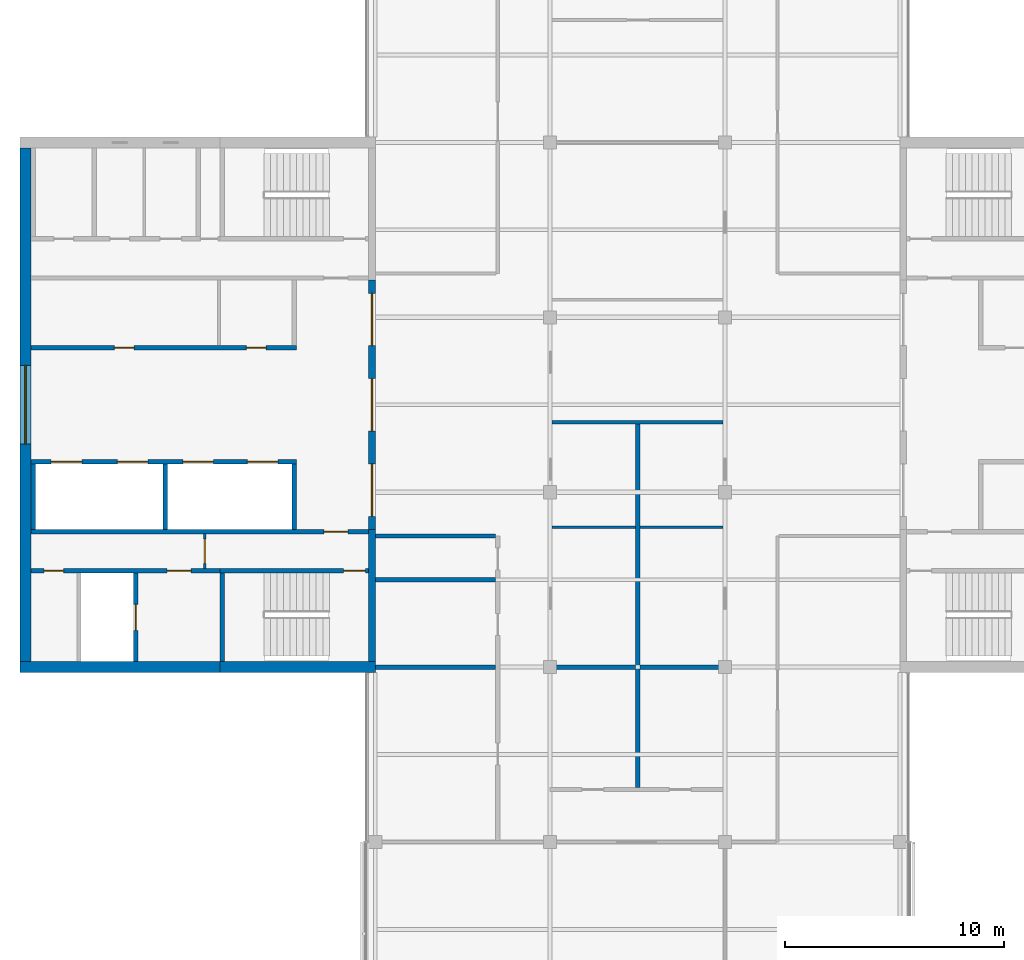
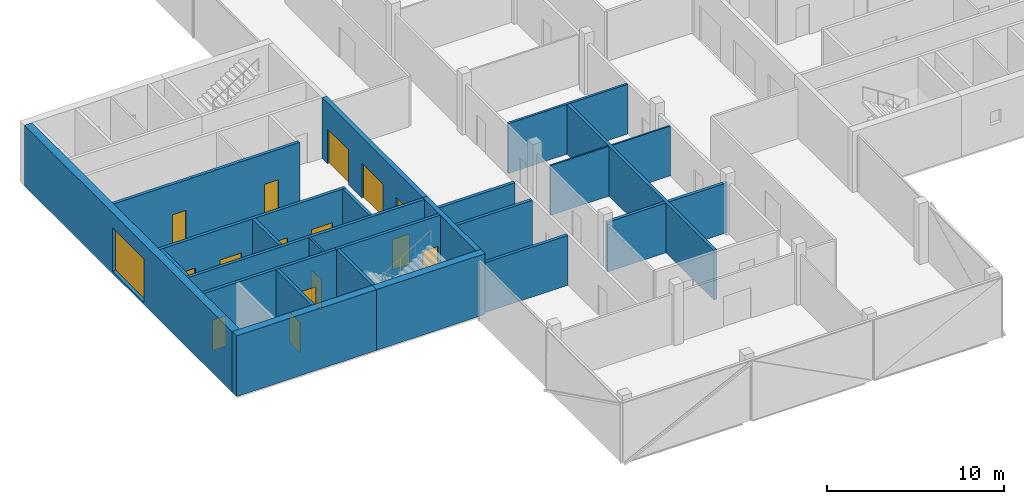
# One storey, part 9 of 15: 25 walls, 15 doors, 1 window, 16 openings.
"""IFC4 building model written with IfcOpenShell, lengths in metres."""

from ifc_helpers import new_model, si_unit, direction, frame, frame_2d, origin, place, context, subcontext, project, spatial, rectangle, extrude, material, layer, layer_set, constituent, constituent_set, type_object, element, fill, save


model = new_model("IFC4")

# Units and contexts
model_context = context("Model", 3, precision=1e-05, world=origin(), true_north=direction((0.0, 1.0)))
body_context = subcontext(model_context, "Body", "Model", "MODEL_VIEW")
ifc_project = project(units=[si_unit("LENGTHUNIT", "METRE"), si_unit("AREAUNIT", "SQUARE_METRE"), si_unit("VOLUMEUNIT", "CUBIC_METRE"), si_unit("PLANEANGLEUNIT", "RADIAN"), si_unit("MASSUNIT", "GRAM", prefix="KILO")], contexts=[model_context])

# Site, building, storey
site_placement = place(None, origin())
site = spatial("IfcSite", under=ifc_project, at=site_placement, CompositionType="ELEMENT")
building_placement = place(site_placement, origin())
building = spatial("IfcBuilding", under=site, at=building_placement, Name="Crosswind Convention Tower", CompositionType="ELEMENT")
storey_placement = place(building_placement, frame((0.0, 0.0, 315.5)))
storey = spatial("IfcBuildingStorey", under=building, at=storey_placement, Name="L68", CompositionType="ELEMENT", Elevation=315.5)

# Walls
ifc_material_1 = material(Name="Concrete blockwork", Category="masonry")
ifc_layer_1 = layer(ifc_material_1, 0.199951171875)
ifc_layer_set_1 = layer_set([ifc_layer_1], Name="COMPARTMENT WALL 200 BLOCKWORK")
wall_type_1 = type_object("IfcWallType", Name="COMPARTMENT WALL 200 BLOCKWORK", PredefinedType="SOLIDWALL", material=ifc_layer_set_1)
wall_1_placement = place(storey_placement, frame((125.0, 82.5, 0.0), z_axis=(0.0, 0.0, 1.0), x_axis=(0.0, 1.0, 0.0)))
element("IfcWall", 1, at=wall_1_placement, inside=storey, type_object=wall_type_1, Name="Compartment wall WT42", PredefinedType="SOLIDWALL", context=body_context, shape_type="SweptSolid", body=[
    extrude(rectangle(XDim=16.625, YDim=0.199951171875, at=frame_2d((8.3125, 0.0))), origin(), (0.0, 0.0, 1.0), 3.44287109375),
])
for number, where, z_axis, x_axis, name in (
    (2, (113.0, 88.0, 0.0), (0.0, 0.0, 1.0), (1.0, 0.0, 0.0), "Compartment wall WT42"),
    (3, (113.0, 92.0, 0.0), (0.0, 0.0, 1.0), (1.0, 0.0, 0.0), "Compartment wall WT42"),
    (4, (113.0, 94.0, 0.0), (0.0, 0.0, 1.0), (1.0, 0.0, 0.0), "Compartment wall WT42"),
):
    element("IfcWall", number, at=place(storey_placement, frame(where, z_axis=z_axis, x_axis=x_axis)), inside=storey, type_object=wall_type_1, Name=name, PredefinedType="SOLIDWALL", context=body_context, shape_type="SweptSolid", body=[
        extrude(rectangle(XDim=5.5, YDim=0.199951171875, at=frame_2d((2.75, 0.0))), origin(), (0.0, 0.0, 1.0), 3.44287109375),
    ])
wall_2_placement = place(storey_placement, frame((121.074951171875, 88.0, 0.0), z_axis=(0.0, 0.0, 1.0), x_axis=(1.0, 0.0, 0.0)))
element("IfcWall", 5, at=wall_2_placement, inside=storey, type_object=wall_type_1, Name="Compartment wall WT42", PredefinedType="SOLIDWALL", context=body_context, shape_type="SweptSolid", body=[
    extrude(rectangle(XDim=3.824951171875, YDim=0.199951171875, at=frame_2d((1.91259765625, 0.0))), origin(), (0.0, 0.0, 1.0), 3.44287109375),
])
wall_3_placement = place(storey_placement, frame((125.10009765625, 88.0, 0.0), z_axis=(0.0, 0.0, 1.0), x_axis=(1.0, 0.0, 0.0)))
element("IfcWall", 6, at=wall_3_placement, inside=storey, type_object=wall_type_1, Name="Compartment wall WT42", PredefinedType="SOLIDWALL", context=body_context, shape_type="SweptSolid", body=[
    extrude(rectangle(XDim=3.7998046875, YDim=0.199951171875, at=frame_2d((1.89990234375, 0.0))), origin(), (0.0, 0.0, 1.0), 3.44287109375),
])

# Wall, openings, doors
ifc_material_2 = material(Name="Concrete C50/60", Category="concrete")
ifc_layer_2 = layer(ifc_material_2, 0.300048828125)
ifc_layer_set_2 = layer_set([ifc_layer_2], Name="Concrete C50/60")
wall_type_2 = type_object("IfcWallType", Name="Concrete inner core wall 300", PredefinedType="SHEAR", material=ifc_layer_set_2)
wall_4_placement = place(storey_placement, frame((112.85009765625, 105.699951171875, 0.0), z_axis=(0.0, 0.0, 1.0), x_axis=(0.0, -1.0, 0.0)))
wall_4 = element("IfcWall", 7, at=wall_4_placement, inside=storey, type_object=wall_type_2, Name="Wall SCR W L68", PredefinedType="SHEAR", context=body_context, shape_type="SweptSolid", body=[
    extrude(rectangle(XDim=11.39990234375, YDim=0.300048828125, at=frame_2d((5.699951171875, 0.0))), origin(), (0.0, 0.0, 1.0), 4.199951171875),
])
opening_1_placement = place(wall_4_placement, frame((0.60009765625, 0.0, 0.0)))
opening_1 = element("IfcOpeningElement", 8, at=opening_1_placement, cuts=wall_4, Name="Opening D100", PredefinedType="OPENING", context=body_context, shape_type="SweptSolid", body=[
    extrude(rectangle(XDim=2.39990234375, YDim=2.39990234375, at=frame_2d((1.199951171875, 1.199951171875))), frame((0.0, 0.159912109375, 0.0), z_axis=(0.0, -1.0, 0.0), x_axis=(1.0, 0.0, 0.0)), (0.0, 0.0, 1.0), 0.320068359375),
])
opening_2_placement = place(wall_4_placement, frame((4.5, 0.0, 0.0)))
opening_2 = element("IfcOpeningElement", 9, at=opening_2_placement, cuts=wall_4, Name="Opening D100", PredefinedType="OPENING", context=body_context, shape_type="SweptSolid", body=[
    extrude(rectangle(XDim=2.39990234375, YDim=2.39990234375, at=frame_2d((1.199951171875, 1.199951171875))), frame((0.0, 0.159912109375, 0.0), z_axis=(0.0, -1.0, 0.0), x_axis=(1.0, 0.0, 0.0)), (0.0, 0.0, 1.0), 0.320068359375),
])
opening_3_placement = place(wall_4_placement, frame((8.39990234375, 0.0, 0.0)))
opening_3 = element("IfcOpeningElement", 10, at=opening_3_placement, cuts=wall_4, Name="Opening D100", PredefinedType="OPENING", context=body_context, shape_type="SweptSolid", body=[
    extrude(rectangle(XDim=2.39990234375, YDim=2.39990234375, at=frame_2d((1.199951171875, 1.199951171875))), frame((0.0, 0.159912109375, 0.0), z_axis=(0.0, -1.0, 0.0), x_axis=(1.0, 0.0, 0.0)), (0.0, 0.0, 1.0), 0.320068359375),
])
ifc_material_3 = material(Name="Steel fire door with glazed vision panels", Category="steel")
door_type_1 = type_object("IfcDoorType", Name="Fire-rated double door 2400x2400", OperationType="DOUBLE_DOOR_SINGLE_SWING", PredefinedType="DOOR", material=ifc_material_3)
door_1_placement = place(opening_1_placement, origin())
door_1 = element("IfcDoor", 11, at=door_1_placement, inside=storey, type_object=door_type_1, Name="Lobby door 1 L68", ObjectType="D100", OperationType="DOUBLE_DOOR_SINGLE_SWING", OverallHeight=2.39990234375, OverallWidth=2.39990234375, PredefinedType="DOOR", context=body_context, shape_type="SweptSolid", body=[
    extrude(rectangle(XDim=2.39990234375, YDim=2.39990234375, at=frame_2d((1.199951171875, 1.199951171875))), frame((0.0, 0.02490234375, 0.0), z_axis=(0.0, -1.0, 0.0), x_axis=(1.0, 0.0, 0.0)), (0.0, 0.0, 1.0), 0.050048828125),
])
fill(opening_1, door_1)
door_2_placement = place(opening_2_placement, origin())
door_2 = element("IfcDoor", 12, at=door_2_placement, inside=storey, type_object=door_type_1, Name="Lobby door 2 L68", ObjectType="D100", OperationType="DOUBLE_DOOR_SINGLE_SWING", OverallHeight=2.39990234375, OverallWidth=2.39990234375, PredefinedType="DOOR", context=body_context, shape_type="SweptSolid", body=[
    extrude(rectangle(XDim=2.39990234375, YDim=2.39990234375, at=frame_2d((1.199951171875, 1.199951171875))), frame((0.0, 0.02490234375, 0.0), z_axis=(0.0, -1.0, 0.0), x_axis=(1.0, 0.0, 0.0)), (0.0, 0.0, 1.0), 0.050048828125),
])
fill(opening_2, door_2)
door_3_placement = place(opening_3_placement, origin())
door_3 = element("IfcDoor", 13, at=door_3_placement, inside=storey, type_object=door_type_1, Name="Lobby door 3 L68", ObjectType="D100", OperationType="DOUBLE_DOOR_SINGLE_SWING", OverallHeight=2.39990234375, OverallWidth=2.39990234375, PredefinedType="DOOR", context=body_context, shape_type="SweptSolid", body=[
    extrude(rectangle(XDim=2.39990234375, YDim=2.39990234375, at=frame_2d((1.199951171875, 1.199951171875))), frame((0.0, 0.02490234375, 0.0), z_axis=(0.0, -1.0, 0.0), x_axis=(1.0, 0.0, 0.0)), (0.0, 0.0, 1.0), 0.050048828125),
])
fill(opening_3, door_3)

# Walls
wall_5_placement = place(storey_placement, frame((112.85009765625, 94.300048828125, 0.0), z_axis=(0.0, 0.0, 1.0), x_axis=(0.0, -1.0, 0.0)))
element("IfcWall", 14, at=wall_5_placement, inside=storey, type_object=wall_type_2, Name="Wall EP W L68", PredefinedType="SHEAR", context=body_context, shape_type="SweptSolid", body=[
    extrude(rectangle(XDim=6.050048828125, YDim=0.300048828125, at=frame_2d((3.02490234375, 0.0))), origin(), (0.0, 0.0, 1.0), 4.199951171875),
])
ifc_layer_3 = layer(ifc_material_2, 0.199951171875)
ifc_layer_set_3 = layer_set([ifc_layer_3], Name="Concrete C50/60")
wall_type_3 = type_object("IfcWallType", Name="Concrete shaft and stair wall 200", PredefinedType="SHEAR", material=ifc_layer_set_3)
for number, where, z_axis, x_axis, name in (
    (15, (109.300048828125, 97.300048828125, 0.0), (0.0, 0.0, 1.0), (0.0, -1.0, 0.0), "Wall RPEND W L68"),
    (16, (103.39990234375, 97.300048828125, 0.0), (0.0, 0.0, 1.0), (0.0, -1.0, 0.0), "Wall RPSEP W L68"),
    (17, (97.35009765625, 97.300048828125, 0.0), (0.0, 0.0, 1.0), (0.0, -1.0, 0.0), "Wall RPEAST W L68"),
):
    element("IfcWall", number, at=place(storey_placement, frame(where, z_axis=z_axis, x_axis=x_axis)), inside=storey, type_object=wall_type_3, Name=name, PredefinedType="SHEAR", context=body_context, shape_type="SweptSolid", body=[
        extrude(rectangle(XDim=3.0, YDim=0.199951171875, at=frame_2d((1.5, 0.0))), origin(), (0.0, 0.0, 1.0), 4.199951171875),
    ])

# Wall, openings, doors
wall_6_placement = place(storey_placement, frame((109.39990234375, 97.39990234375, 0.0), z_axis=(0.0, 0.0, 1.0), x_axis=(-1.0, 0.0, 0.0)))
wall_6 = element("IfcWall", 18, at=wall_6_placement, inside=storey, type_object=wall_type_3, Name="Wall RPFRONT W L68", PredefinedType="SHEAR", context=body_context, shape_type="SweptSolid", body=[
    extrude(rectangle(XDim=12.14990234375, YDim=0.199951171875, at=frame_2d((6.074951171875, 0.0))), origin(), (0.0, 0.0, 1.0), 4.199951171875),
])
opening_4_placement = place(wall_6_placement, frame((0.85009765625, 0.0, 0.0)))
opening_4 = element("IfcOpeningElement", 19, at=opening_4_placement, cuts=wall_6, Name="Opening LD2", PredefinedType="OPENING", context=body_context, shape_type="SweptSolid", body=[
    extrude(rectangle(XDim=1.39990234375, YDim=2.10009765625, at=frame_2d((0.699951171875, 1.050048828125))), frame((0.0, 0.10986328125, 0.0), z_axis=(0.0, -1.0, 0.0), x_axis=(1.0, 0.0, 0.0)), (0.0, 0.0, 1.0), 0.219970703125),
])
opening_5_placement = place(wall_6_placement, frame((3.800048828125, 0.0, 0.0)))
opening_5 = element("IfcOpeningElement", 20, at=opening_5_placement, cuts=wall_6, Name="Opening LD2", PredefinedType="OPENING", context=body_context, shape_type="SweptSolid", body=[
    extrude(rectangle(XDim=1.39990234375, YDim=2.10009765625, at=frame_2d((0.699951171875, 1.050048828125))), frame((0.0, 0.10986328125, 0.0), z_axis=(0.0, -1.0, 0.0), x_axis=(1.0, 0.0, 0.0)), (0.0, 0.0, 1.0), 0.219970703125),
])
opening_6_placement = place(wall_6_placement, frame((6.800048828125, 0.0, 0.0)))
opening_6 = element("IfcOpeningElement", 21, at=opening_6_placement, cuts=wall_6, Name="Opening LD2", PredefinedType="OPENING", context=body_context, shape_type="SweptSolid", body=[
    extrude(rectangle(XDim=1.39990234375, YDim=2.10009765625, at=frame_2d((0.699951171875, 1.050048828125))), frame((0.0, 0.10986328125, 0.0), z_axis=(0.0, -1.0, 0.0), x_axis=(1.0, 0.0, 0.0)), (0.0, 0.0, 1.0), 0.219970703125),
])
opening_7_placement = place(wall_6_placement, frame((9.824951171875, 0.0, 0.0)))
opening_7 = element("IfcOpeningElement", 22, at=opening_7_placement, cuts=wall_6, Name="Opening LD2", PredefinedType="OPENING", context=body_context, shape_type="SweptSolid", body=[
    extrude(rectangle(XDim=1.39990234375, YDim=2.10009765625, at=frame_2d((0.699951171875, 1.050048828125))), frame((0.0, 0.10986328125, 0.0), z_axis=(0.0, -1.0, 0.0), x_axis=(1.0, 0.0, 0.0)), (0.0, 0.0, 1.0), 0.219970703125),
])
ifc_material_4 = material(Name="Stainless steel", Category="steel")
door_type_2 = type_object("IfcDoorType", Name="Lift landing door 1400x2100", OperationType="DOUBLE_DOOR_SLIDING", PredefinedType="DOOR", material=ifc_material_4)
door_4_placement = place(opening_4_placement, origin())
door_4 = element("IfcDoor", 23, at=door_4_placement, inside=storey, type_object=door_type_2, Name="Landing door HR1 L68", ObjectType="LD2", OperationType="DOUBLE_DOOR_SLIDING", OverallHeight=2.10009765625, OverallWidth=1.39990234375, PredefinedType="DOOR", context=body_context, shape_type="SweptSolid", body=[
    extrude(rectangle(XDim=1.39990234375, YDim=2.10009765625, at=frame_2d((0.699951171875, 1.050048828125))), frame((0.0, 0.02490234375, 0.0), z_axis=(0.0, -1.0, 0.0), x_axis=(1.0, 0.0, 0.0)), (0.0, 0.0, 1.0), 0.050048828125),
])
fill(opening_4, door_4)
door_5_placement = place(opening_5_placement, origin())
door_5 = element("IfcDoor", 24, at=door_5_placement, inside=storey, type_object=door_type_2, Name="Landing door HR2 L68", ObjectType="LD2", OperationType="DOUBLE_DOOR_SLIDING", OverallHeight=2.10009765625, OverallWidth=1.39990234375, PredefinedType="DOOR", context=body_context, shape_type="SweptSolid", body=[
    extrude(rectangle(XDim=1.39990234375, YDim=2.10009765625, at=frame_2d((0.699951171875, 1.050048828125))), frame((0.0, 0.02490234375, 0.0), z_axis=(0.0, -1.0, 0.0), x_axis=(1.0, 0.0, 0.0)), (0.0, 0.0, 1.0), 0.050048828125),
])
fill(opening_5, door_5)
door_6_placement = place(opening_6_placement, origin())
door_6 = element("IfcDoor", 25, at=door_6_placement, inside=storey, type_object=door_type_2, Name="Landing door HR3 L68", ObjectType="LD2", OperationType="DOUBLE_DOOR_SLIDING", OverallHeight=2.10009765625, OverallWidth=1.39990234375, PredefinedType="DOOR", context=body_context, shape_type="SweptSolid", body=[
    extrude(rectangle(XDim=1.39990234375, YDim=2.10009765625, at=frame_2d((0.699951171875, 1.050048828125))), frame((0.0, 0.02490234375, 0.0), z_axis=(0.0, -1.0, 0.0), x_axis=(1.0, 0.0, 0.0)), (0.0, 0.0, 1.0), 0.050048828125),
])
fill(opening_6, door_6)
door_7_placement = place(opening_7_placement, origin())
door_7 = element("IfcDoor", 26, at=door_7_placement, inside=storey, type_object=door_type_2, Name="Landing door HR4 L68", ObjectType="LD2", OperationType="DOUBLE_DOOR_SLIDING", OverallHeight=2.10009765625, OverallWidth=1.39990234375, PredefinedType="DOOR", context=body_context, shape_type="SweptSolid", body=[
    extrude(rectangle(XDim=1.39990234375, YDim=2.10009765625, at=frame_2d((0.699951171875, 1.050048828125))), frame((0.0, 0.02490234375, 0.0), z_axis=(0.0, -1.0, 0.0), x_axis=(1.0, 0.0, 0.0)), (0.0, 0.0, 1.0), 0.050048828125),
])
fill(opening_7, door_7)

wall_7_placement = place(storey_placement, frame((109.39990234375, 102.60009765625, 0.0), z_axis=(0.0, 0.0, 1.0), x_axis=(-1.0, 0.0, 0.0)))
wall_7 = element("IfcWall", 27, at=wall_7_placement, inside=storey, type_object=wall_type_3, Name="Wall RMFRONT W L68", PredefinedType="SHEAR", context=body_context, shape_type="SweptSolid", body=[
    extrude(rectangle(XDim=12.14990234375, YDim=0.199951171875, at=frame_2d((6.074951171875, 0.0))), origin(), (0.0, 0.0, 1.0), 4.199951171875),
])
opening_8_placement = place(wall_7_placement, frame((1.391845703125, 0.0, 0.0)))
opening_8 = element("IfcOpeningElement", 28, at=opening_8_placement, cuts=wall_7, Name="Opening D106", PredefinedType="OPENING", context=body_context, shape_type="SweptSolid", body=[
    extrude(rectangle(XDim=0.89990234375, YDim=2.10009765625, at=frame_2d((0.449951171875, 1.050048828125))), frame((0.0, 0.10986328125, 0.0), z_axis=(0.0, -1.0, 0.0), x_axis=(1.0, 0.0, 0.0)), (0.0, 0.0, 1.0), 0.219970703125),
])
opening_9_placement = place(wall_7_placement, frame((7.42919921875, 0.0, 0.0)))
opening_9 = element("IfcOpeningElement", 29, at=opening_9_placement, cuts=wall_7, Name="Opening D106", PredefinedType="OPENING", context=body_context, shape_type="SweptSolid", body=[
    extrude(rectangle(XDim=0.89990234375, YDim=2.10009765625, at=frame_2d((0.449951171875, 1.050048828125))), frame((0.0, 0.10986328125, 0.0), z_axis=(0.0, -1.0, 0.0), x_axis=(1.0, 0.0, 0.0)), (0.0, 0.0, 1.0), 0.219970703125),
])
ifc_material_5 = material(Name="Timber door", Category="wood")
door_type_3 = type_object("IfcDoorType", Name="Single leaf door 900x2100", OperationType="NOTDEFINED", PredefinedType="DOOR", material=ifc_material_5)
door_8_placement = place(opening_8_placement, frame((0.89990234375, 0.0, 0.0), z_axis=(0.0, 0.0, 1.0), x_axis=(-1.0, 0.0, 0.0)))
door_8 = element("IfcDoor", 30, at=door_8_placement, inside=storey, type_object=door_type_3, Name="Door to storeroom L68", ObjectType="D106", OperationType="SINGLE_SWING_LEFT", OverallHeight=2.10009765625, OverallWidth=0.89990234375, PredefinedType="DOOR", context=body_context, shape_type="SweptSolid", body=[
    extrude(rectangle(XDim=0.89990234375, YDim=2.10009765625, at=frame_2d((0.449951171875, 1.050048828125))), frame((0.0, 0.02490234375, 0.0), z_axis=(0.0, -1.0, 0.0), x_axis=(1.0, 0.0, 0.0)), (0.0, 0.0, 1.0), 0.050048828125),
])
fill(opening_8, door_8)
door_9_placement = place(opening_9_placement, frame((0.89990234375, 0.0, 0.0), z_axis=(0.0, 0.0, 1.0), x_axis=(-1.0, 0.0, 0.0)))
door_9 = element("IfcDoor", 31, at=door_9_placement, inside=storey, type_object=door_type_3, Name="Door to tenant services room L68", ObjectType="D106", OperationType="SINGLE_SWING_LEFT", OverallHeight=2.10009765625, OverallWidth=0.89990234375, PredefinedType="DOOR", context=body_context, shape_type="SweptSolid", body=[
    extrude(rectangle(XDim=0.89990234375, YDim=2.10009765625, at=frame_2d((0.449951171875, 1.050048828125))), frame((0.0, 0.02490234375, 0.0), z_axis=(0.0, -1.0, 0.0), x_axis=(1.0, 0.0, 0.0)), (0.0, 0.0, 1.0), 0.050048828125),
])
fill(opening_9, door_9)

# Wall, opening, door
wall_8_placement = place(storey_placement, frame((112.699951171875, 94.199951171875, 0.0), z_axis=(0.0, 0.0, 1.0), x_axis=(-1.0, 0.0, 0.0)))
wall_8 = element("IfcWall", 32, at=wall_8_placement, inside=storey, type_object=wall_type_3, Name="Wall HP W L68", PredefinedType="SHEAR", context=body_context, shape_type="SweptSolid", body=[
    extrude(rectangle(XDim=15.449951171875, YDim=0.199951171875, at=frame_2d((7.72509765625, 0.0))), origin(), (0.0, 0.0, 1.0), 4.199951171875),
])
opening_10_placement = place(wall_8_placement, frame((0.949951171875, 0.0, 0.0)))
opening_10 = element("IfcOpeningElement", 33, at=opening_10_placement, cuts=wall_8, Name="Opening D104", PredefinedType="OPENING", context=body_context, shape_type="SweptSolid", body=[
    extrude(rectangle(XDim=1.10009765625, YDim=2.10009765625, at=frame_2d((0.550048828125, 1.050048828125))), frame((0.0, 0.10986328125, 0.0), z_axis=(0.0, -1.0, 0.0), x_axis=(1.0, 0.0, 0.0)), (0.0, 0.0, 1.0), 0.219970703125),
])
ifc_material_6 = material(Name="Steel fire door", Category="steel")
door_type_4 = type_object("IfcDoorType", Name="Fire-rated single door 1100x2100", OperationType="NOTDEFINED", PredefinedType="DOOR", material=ifc_material_6)
door_10_placement = place(opening_10_placement, origin())
door_10 = element("IfcDoor", 34, at=door_10_placement, inside=storey, type_object=door_type_4, Name="Corridor door L68", ObjectType="D104", OperationType="SINGLE_SWING_LEFT", OverallHeight=2.10009765625, OverallWidth=1.10009765625, PredefinedType="DOOR", context=body_context, shape_type="SweptSolid", body=[
    extrude(rectangle(XDim=1.10009765625, YDim=2.10009765625, at=frame_2d((0.550048828125, 1.050048828125))), frame((0.0, 0.02490234375, 0.0), z_axis=(0.0, -1.0, 0.0), x_axis=(1.0, 0.0, 0.0)), (0.0, 0.0, 1.0), 0.050048828125),
])
fill(opening_10, door_10)

# Wall
wall_9_placement = place(storey_placement, frame((106.0, 92.300048828125, 0.0), z_axis=(0.0, 0.0, 1.0), x_axis=(0.0, -1.0, 0.0)))
element("IfcWall", 35, at=wall_9_placement, inside=storey, type_object=wall_type_3, Name="Wall PSE W L68", PredefinedType="SHEAR", context=body_context, shape_type="SweptSolid", body=[
    extrude(rectangle(XDim=4.050048828125, YDim=0.199951171875, at=frame_2d((2.02490234375, 0.0))), origin(), (0.0, 0.0, 1.0), 4.199951171875),
])

# Wall, opening, door
wall_10_placement = place(storey_placement, frame((102.050048828125, 92.300048828125, 0.0), z_axis=(0.0, 0.0, 1.0), x_axis=(0.0, -1.0, 0.0)))
wall_10 = element("IfcWall", 36, at=wall_10_placement, inside=storey, type_object=wall_type_3, Name="Wall PFLW W L68", PredefinedType="SHEAR", context=body_context, shape_type="SweptSolid", body=[
    extrude(rectangle(XDim=4.050048828125, YDim=0.199951171875, at=frame_2d((2.02490234375, 0.0))), origin(), (0.0, 0.0, 1.0), 4.199951171875),
])
opening_11_placement = place(wall_10_placement, frame((1.425048828125, 0.0, 0.0)))
opening_11 = element("IfcOpeningElement", 37, at=opening_11_placement, cuts=wall_10, Name="Opening LD1", PredefinedType="OPENING", context=body_context, shape_type="SweptSolid", body=[
    extrude(rectangle(XDim=1.199951171875, YDim=2.10009765625, at=frame_2d((0.60009765625, 1.050048828125))), frame((0.0, 0.10986328125, 0.0), z_axis=(0.0, -1.0, 0.0), x_axis=(1.0, 0.0, 0.0)), (0.0, 0.0, 1.0), 0.219970703125),
])
door_type_5 = type_object("IfcDoorType", Name="Lift landing door 1200x2100", OperationType="DOUBLE_DOOR_SLIDING", PredefinedType="DOOR", material=ifc_material_4)
door_11_placement = place(opening_11_placement, origin())
door_11 = element("IfcDoor", 38, at=door_11_placement, inside=storey, type_object=door_type_5, Name="Landing door FF2 L68", ObjectType="LD1", OperationType="DOUBLE_DOOR_SLIDING", OverallHeight=2.10009765625, OverallWidth=1.199951171875, PredefinedType="DOOR", context=body_context, shape_type="SweptSolid", body=[
    extrude(rectangle(XDim=1.199951171875, YDim=2.10009765625, at=frame_2d((0.60009765625, 1.050048828125))), frame((0.0, 0.02490234375, 0.0), z_axis=(0.0, -1.0, 0.0), x_axis=(1.0, 0.0, 0.0)), (0.0, 0.0, 1.0), 0.050048828125),
])
fill(opening_11, door_11)

wall_11_placement = place(storey_placement, frame((112.699951171875, 92.39990234375, 0.0), z_axis=(0.0, 0.0, 1.0), x_axis=(-1.0, 0.0, 0.0)))
wall_11 = element("IfcWall", 39, at=wall_11_placement, inside=storey, type_object=wall_type_3, Name="Wall PCW W L68", PredefinedType="SHEAR", context=body_context, shape_type="SweptSolid", body=[
    extrude(rectangle(XDim=6.800048828125, YDim=0.199951171875, at=frame_2d((3.39990234375, 0.0))), origin(), (0.0, 0.0, 1.0), 4.199951171875),
])
opening_12_placement = place(wall_11_placement, frame((0.14990234375, 0.0, 0.0)))
opening_12 = element("IfcOpeningElement", 40, at=opening_12_placement, cuts=wall_11, Name="Opening D103", PredefinedType="OPENING", context=body_context, shape_type="SweptSolid", body=[
    extrude(rectangle(XDim=1.0, YDim=2.10009765625, at=frame_2d((0.5, 1.050048828125))), frame((0.0, 0.10986328125, 0.0), z_axis=(0.0, -1.0, 0.0), x_axis=(1.0, 0.0, 0.0)), (0.0, 0.0, 1.0), 0.219970703125),
])
door_type_6 = type_object("IfcDoorType", Name="Fire-rated single door 1000x2100", OperationType="NOTDEFINED", PredefinedType="DOOR", material=ifc_material_6)
door_12_placement = place(opening_12_placement, origin())
door_12 = element("IfcDoor", 41, at=door_12_placement, inside=storey, type_object=door_type_6, Name="Stair ST3 door L68", ObjectType="D103", OperationType="SINGLE_SWING_LEFT", OverallHeight=2.10009765625, OverallWidth=1.0, PredefinedType="DOOR", context=body_context, shape_type="SweptSolid", body=[
    extrude(rectangle(XDim=1.0, YDim=2.10009765625, at=frame_2d((0.5, 1.050048828125))), frame((0.0, 0.02490234375, 0.0), z_axis=(0.0, -1.0, 0.0), x_axis=(1.0, 0.0, 0.0)), (0.0, 0.0, 1.0), 0.050048828125),
])
fill(opening_12, door_12)

# Wall, openings, doors
wall_12_placement = place(storey_placement, frame((105.89990234375, 92.39990234375, 0.0), z_axis=(0.0, 0.0, 1.0), x_axis=(-1.0, 0.0, 0.0)))
wall_12 = element("IfcWall", 42, at=wall_12_placement, inside=storey, type_object=wall_type_3, Name="Wall PCX W L68", PredefinedType="SHEAR", context=body_context, shape_type="SweptSolid", body=[
    extrude(rectangle(XDim=8.64990234375, YDim=0.199951171875, at=frame_2d((4.324951171875, 0.0))), origin(), (0.0, 0.0, 1.0), 4.199951171875),
])
opening_13_placement = place(wall_12_placement, frame((1.324951171875, 0.0, 0.0)))
opening_13 = element("IfcOpeningElement", 43, at=opening_13_placement, cuts=wall_12, Name="Opening D104", PredefinedType="OPENING", context=body_context, shape_type="SweptSolid", body=[
    extrude(rectangle(XDim=1.10009765625, YDim=2.10009765625, at=frame_2d((0.550048828125, 1.050048828125))), frame((0.0, 0.10986328125, 0.0), z_axis=(0.0, -1.0, 0.0), x_axis=(1.0, 0.0, 0.0)), (0.0, 0.0, 1.0), 0.219970703125),
])
opening_14_placement = place(wall_12_placement, frame((7.14990234375, 0.0, 0.0)))
opening_14 = element("IfcOpeningElement", 44, at=opening_14_placement, cuts=wall_12, Name="Opening D106", PredefinedType="OPENING", context=body_context, shape_type="SweptSolid", body=[
    extrude(rectangle(XDim=0.89990234375, YDim=2.10009765625, at=frame_2d((0.449951171875, 1.050048828125))), frame((0.0, 0.10986328125, 0.0), z_axis=(0.0, -1.0, 0.0), x_axis=(1.0, 0.0, 0.0)), (0.0, 0.0, 1.0), 0.219970703125),
])
door_13_placement = place(opening_13_placement, origin())
door_13 = element("IfcDoor", 45, at=door_13_placement, inside=storey, type_object=door_type_4, Name="Fire-fighting lobby FF2 door L68", ObjectType="D104", OperationType="SINGLE_SWING_RIGHT", OverallHeight=2.10009765625, OverallWidth=1.10009765625, PredefinedType="DOOR", context=body_context, shape_type="SweptSolid", body=[
    extrude(rectangle(XDim=1.10009765625, YDim=2.10009765625, at=frame_2d((0.550048828125, 1.050048828125))), frame((0.0, 0.02490234375, 0.0), z_axis=(0.0, -1.0, 0.0), x_axis=(1.0, 0.0, 0.0)), (0.0, 0.0, 1.0), 0.050048828125),
])
fill(opening_13, door_13)
door_14_placement = place(opening_14_placement, origin())
door_14 = element("IfcDoor", 46, at=door_14_placement, inside=storey, type_object=door_type_3, Name="Door to electrical room L68", ObjectType="D106", OperationType="SINGLE_SWING_RIGHT", OverallHeight=2.10009765625, OverallWidth=0.89990234375, PredefinedType="DOOR", context=body_context, shape_type="SweptSolid", body=[
    extrude(rectangle(XDim=0.89990234375, YDim=2.10009765625, at=frame_2d((0.449951171875, 1.050048828125))), frame((0.0, 0.02490234375, 0.0), z_axis=(0.0, -1.0, 0.0), x_axis=(1.0, 0.0, 0.0)), (0.0, 0.0, 1.0), 0.050048828125),
])
fill(opening_14, door_14)

# Wall, opening, door
ifc_material_7 = material(Name="Gypsum plasterboard partition", Category="gypsum")
ifc_layer_4 = layer(ifc_material_7, 0.125)
ifc_layer_set_4 = layer_set([ifc_layer_4], Name="Drywall partition wall 125")
wall_type_4 = type_object("IfcWallType", Name="Drywall partition wall 125", PredefinedType="PARTITIONING", material=ifc_layer_set_4)
wall_13_placement = place(storey_placement, frame((105.199951171875, 94.10009765625, 0.0), z_axis=(0.0, 0.0, 1.0), x_axis=(0.0, -1.0, 0.0)))
wall_13 = element("IfcWall", 47, at=wall_13_placement, inside=storey, type_object=wall_type_4, Name="Wall PXC1 W L68", PredefinedType="PARTITIONING", context=body_context, shape_type="SweptSolid", body=[
    extrude(rectangle(XDim=1.60009765625, YDim=0.125, at=frame_2d((0.800048828125, 0.0))), origin(), (0.0, 0.0, 1.0), 4.199951171875),
])
opening_15_placement = place(wall_13_placement, frame((0.25, 0.0, 0.0)))
opening_15 = element("IfcOpeningElement", 48, at=opening_15_placement, cuts=wall_13, Name="Opening D104", PredefinedType="OPENING", context=body_context, shape_type="SweptSolid", body=[
    extrude(rectangle(XDim=1.10009765625, YDim=2.10009765625, at=frame_2d((0.550048828125, 1.050048828125))), frame((0.0, 0.072509765625, 0.0), z_axis=(0.0, -1.0, 0.0), x_axis=(1.0, 0.0, 0.0)), (0.0, 0.0, 1.0), 0.14501953125),
])
door_15_placement = place(opening_15_placement, origin())
door_15 = element("IfcDoor", 49, at=door_15_placement, inside=storey, type_object=door_type_4, Name="Corridor smoke door L68", ObjectType="D104", OperationType="SINGLE_SWING_RIGHT", OverallHeight=2.10009765625, OverallWidth=1.10009765625, PredefinedType="DOOR", context=body_context, shape_type="SweptSolid", body=[
    extrude(rectangle(XDim=1.10009765625, YDim=2.10009765625, at=frame_2d((0.550048828125, 1.050048828125))), frame((0.0, 0.02490234375, 0.0), z_axis=(0.0, -1.0, 0.0), x_axis=(1.0, 0.0, 0.0)), (0.0, 0.0, 1.0), 0.050048828125),
])
fill(opening_15, door_15)

# Walls
ifc_material_8 = material(Name="Plasterboard partition", Category="gypsum")
ifc_layer_5 = layer(ifc_material_8, 0.10009765625)
ifc_layer_set_5 = layer_set([ifc_layer_5], Name="PARTITION 100 METAL STUD")
wall_type_5 = type_object("IfcWallType", Name="PARTITION 100 METAL STUD", PredefinedType="PARTITIONING", material=ifc_layer_set_5)
wall_14_placement = place(storey_placement, frame((121.074951171875, 94.39990234375, 0.0), z_axis=(0.0, 0.0, 1.0), x_axis=(1.0, 0.0, 0.0)))
element("IfcWall", 50, at=wall_14_placement, inside=storey, type_object=wall_type_5, Name="Partition wall WT40", PredefinedType="PARTITIONING", context=body_context, shape_type="SweptSolid", body=[
    extrude(rectangle(XDim=3.824951171875, YDim=0.10009765625, at=frame_2d((1.91259765625, 0.0))), origin(), (0.0, 0.0, 1.0), 3.44287109375),
])
wall_15_placement = place(storey_placement, frame((125.10009765625, 94.39990234375, 0.0), z_axis=(0.0, 0.0, 1.0), x_axis=(1.0, 0.0, 0.0)))
element("IfcWall", 51, at=wall_15_placement, inside=storey, type_object=wall_type_5, Name="Partition wall WT40", PredefinedType="PARTITIONING", context=body_context, shape_type="SweptSolid", body=[
    extrude(rectangle(XDim=3.7998046875, YDim=0.10009765625, at=frame_2d((1.89990234375, 0.0))), origin(), (0.0, 0.0, 1.0), 3.44287109375),
])
ifc_material_9 = material(Name="Fire-board partition with mineral wool", Category="gypsum")
ifc_layer_6 = layer(ifc_material_9, 0.14990234375)
ifc_layer_set_6 = layer_set([ifc_layer_6], Name="TENANCY WALL 150 TWO-HOUR BOARD")
wall_type_6 = type_object("IfcWallType", Name="TENANCY WALL 150 TWO-HOUR BOARD", PredefinedType="PARTITIONING", material=ifc_layer_set_6)
wall_16_placement = place(storey_placement, frame((121.074951171875, 99.199951171875, 0.0), z_axis=(0.0, 0.0, 1.0), x_axis=(1.0, 0.0, 0.0)))
element("IfcWall", 52, at=wall_16_placement, inside=storey, type_object=wall_type_6, Name="Tenancy wall WT41", PredefinedType="PARTITIONING", context=body_context, shape_type="SweptSolid", body=[
    extrude(rectangle(XDim=7.824951171875, YDim=0.14990234375, at=frame_2d((3.91259765625, 0.0))), origin(), (0.0, 0.0, 1.0), 3.44287109375),
])
ifc_material_10 = material(Name="Concrete C60/75", Category="concrete")
ifc_constituent_1 = constituent(ifc_material_10, Name="Structure")
ifc_material_11 = material(Name="Terracotta rainscreen", Category="ceramic")
ifc_constituent_2 = constituent(ifc_material_11, Name="Facing")
ifc_constituent_set = constituent_set(constituents=[ifc_constituent_1, ifc_constituent_2], Name="Concrete C60/75, Terracotta rainscreen")
wall_type_7 = type_object("IfcWallType", Name="Terracotta rainscreen on concrete core wall 500", PredefinedType="SHEAR", material=ifc_constituent_set)
wall_17_placement = place(storey_placement, frame((113.0, 88.0, 0.0), z_axis=(0.0, 0.0, 1.0), x_axis=(-1.0, 0.0, 0.0)))
element("IfcWall", 53, at=wall_17_placement, inside=storey, type_object=wall_type_7, Name="Wall N1 W L68", PredefinedType="SHEAR", context=body_context, shape_type="SweptSolid", body=[
    extrude(rectangle(XDim=7.10009765625, YDim=0.5, at=frame_2d((3.550048828125, 0.0))), origin(), (0.0, 0.0, 1.0), 4.199951171875),
])
wall_18_placement = place(storey_placement, frame((105.89990234375, 88.0, 0.0), z_axis=(0.0, 0.0, 1.0), x_axis=(-1.0, 0.0, 0.0)))
element("IfcWall", 54, at=wall_18_placement, inside=storey, type_object=wall_type_7, Name="Wall N2 W L68", PredefinedType="SHEAR", context=body_context, shape_type="SweptSolid", body=[
    extrude(rectangle(XDim=9.14990234375, YDim=0.5, at=frame_2d((4.574951171875, 0.0))), origin(), (0.0, 0.0, 1.0), 4.199951171875),
])

# Wall, opening, window
wall_19_placement = place(storey_placement, frame((97.0, 111.75, 0.0), z_axis=(0.0, 0.0, 1.0), x_axis=(0.0, -1.0, 0.0)))
wall_19 = element("IfcWall", 55, at=wall_19_placement, inside=storey, type_object=wall_type_7, Name="Wall O W L68", PredefinedType="SHEAR", context=body_context, shape_type="SweptSolid", body=[
    extrude(rectangle(XDim=23.5, YDim=0.5, at=frame_2d((11.75, 0.0))), origin(), (0.0, 0.0, 1.0), 4.199951171875),
])
opening_16_placement = place(wall_19_placement, frame((9.949951171875, 0.0, 0.14990234375)))
opening_16 = element("IfcOpeningElement", 56, at=opening_16_placement, cuts=wall_19, Name="Opening W1", PredefinedType="OPENING", context=body_context, shape_type="SweptSolid", body=[
    extrude(rectangle(XDim=3.60009765625, YDim=3.0, at=frame_2d((1.800048828125, 1.5))), frame((0.0, 0.260009765625, 0.0), z_axis=(0.0, -1.0, 0.0), x_axis=(1.0, 0.0, 0.0)), (0.0, 0.0, 1.0), 0.52001953125),
])
ifc_material_12 = material(Name="Clear laminated glass in aluminium frame", Category="aluminium")
window_type = type_object("IfcWindowType", Name="Lobby end window 3600x3000", PartitioningType="SINGLE_PANEL", PredefinedType="WINDOW", material=ifc_material_12)
window_placement = place(opening_16_placement, origin())
window = element("IfcWindow", 57, at=window_placement, inside=storey, type_object=window_type, Name="Lobby end window L68", ObjectType="W1", OverallHeight=3.0, OverallWidth=3.60009765625, PartitioningType="SINGLE_PANEL", PredefinedType="WINDOW", context=body_context, shape_type="SweptSolid", body=[
    extrude(rectangle(XDim=3.60009765625, YDim=3.0, at=frame_2d((1.800048828125, 1.5))), frame((0.0, 0.030029296875, 0.0), z_axis=(0.0, -1.0, 0.0), x_axis=(1.0, 0.0, 0.0)), (0.0, 0.0, 1.0), 0.06005859375),
])
fill(opening_16, window)

save(model, "model.ifc")
